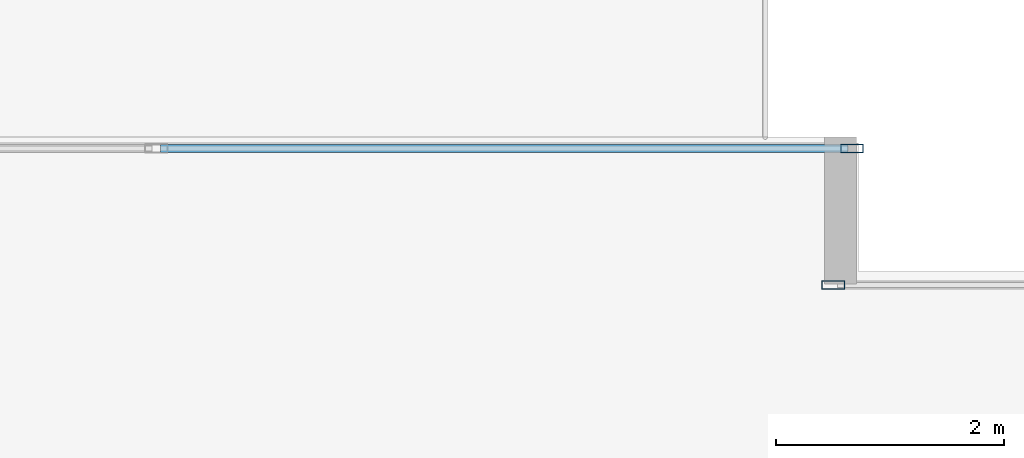
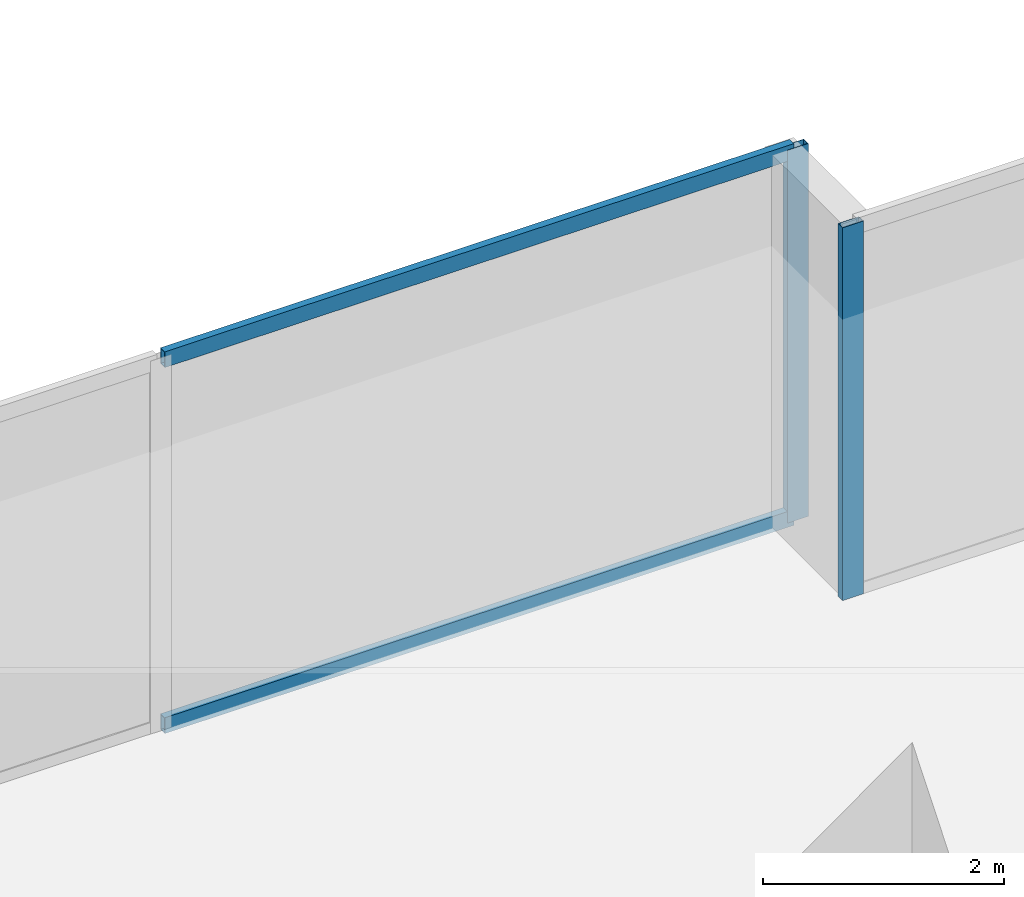
# One storey, part 16 of 32: 4 members, 2 elements without a shape of their own.
"""IFC4 building model written with IfcOpenShell, lengths in metres."""

from ifc_helpers import new_model, si_unit, direction, frame, origin, origin_2d, place, context, subcontext, project, spatial, hollow_rectangle, extrude, source, transform, mapped, material, layer, layer_set, material_profile, profile_set, type_object, type_shapes, element, aggregate, save


model = new_model("IFC4")

# Units and contexts
model_context = context("Model", 3, precision=1e-05, world=origin(), true_north=direction((0.0, 1.0)))
body_context = subcontext(model_context, "Body", "Model", "MODEL_VIEW")
ifc_project = project(units=[si_unit("LENGTHUNIT", "METRE"), si_unit("AREAUNIT", "SQUARE_METRE"), si_unit("VOLUMEUNIT", "CUBIC_METRE"), si_unit("PLANEANGLEUNIT", "RADIAN"), si_unit("MASSUNIT", "GRAM", prefix="KILO")], contexts=[model_context])

# Site, building, storey
site_placement = place(None, origin())
site = spatial("IfcSite", under=ifc_project, at=site_placement, CompositionType="ELEMENT")
building_placement = place(site_placement, origin())
building = spatial("IfcBuilding", under=site, at=building_placement, Name="Haelvirn Gate Laboratories", CompositionType="ELEMENT")
storey_placement = place(building_placement, frame((0.0, 0.0, 33.39990234375)))
storey = spatial("IfcBuildingStorey", under=building, at=storey_placement, Name="L08", CompositionType="ELEMENT", Elevation=33.39990234375)

# Curtain wall, member
ifc_material_1 = material(Name="Anodised bronze unitised aluminium & triple low-E glass", Category="aluminium")
ifc_layer = layer(ifc_material_1, 0.18408203125, Name="CW-SYS-2")
ifc_layer_set = layer_set([ifc_layer], Name="Anodised bronze unitised aluminium & triple low-E glass")
curtain_wall_type = type_object("IfcCurtainWallType", Name="CW-SYS-2", PredefinedType="NOTDEFINED", material=ifc_layer_set)
curtain_wall_1_placement = place(storey_placement, origin())
curtain_wall_1 = element("IfcCurtainWall", 1, at=curtain_wall_1_placement, inside=storey, type_object=curtain_wall_type, Name="L08 Unitised Curtain Wall CW-L08-P0-E12-1", PredefinedType="NOTDEFINED")
ifc_material_2 = material(Name="Extruded aluminium 6063-T6 (anodised bronze)", Category="aluminium")
ifc_material_profile_1 = material_profile(ifc_material_2, hollow_rectangle(XDim=0.074951171875, YDim=0.199951171875, WallThickness=0.0048828125, at=origin_2d()), Name="CWM-200x75x5")
ifc_profile_set_1 = profile_set([ifc_material_profile_1], Name="Extruded aluminium 6063-T6 (anodised bronze)")
member_type_1 = type_object("IfcMemberType", Name="CWM-T200", PredefinedType="MULLION", material=ifc_profile_set_1)
shared_shape_1 = source(origin(), body_context, "Body", "SweptSolid", [
    extrude(hollow_rectangle(XDim=0.074951171875, YDim=0.199951171875, WallThickness=0.0048828125, at=origin_2d()), origin(), (0.0, 0.0, 1.0), 3.780029296875),
])
type_shapes(member_type_1, [shared_shape_1])
member_1_placement = place(storey_placement, frame((25.197509765625, 47.300048828125, 0.0), z_axis=(0.0, 0.0, 1.0), x_axis=(0.0, 1.0, 0.0)))
member_1 = element("IfcMember", 2, at=member_1_placement, type_object=member_type_1, Name="CW2 mullion 1", PredefinedType="MULLION", context=body_context, shape_type="MappedRepresentation", body=[
    mapped(shared_shape_1, transform((0.0, 0.0, 0.0), scale=1.0)),
])
aggregate(curtain_wall_1, [member_1])

# Curtain wall, members
curtain_wall_2_placement = place(storey_placement, origin())
curtain_wall_2 = element("IfcCurtainWall", 3, at=curtain_wall_2_placement, inside=storey, type_object=curtain_wall_type, Name="L08 Unitised Curtain Wall CW-L08-P0-E14-2", PredefinedType="NOTDEFINED")
member_2_placement = place(storey_placement, frame((25.362548828125, 48.5, 0.0), z_axis=(0.0, 0.0, 1.0), x_axis=(0.0, 1.0, 0.0)))
member_2 = element("IfcMember", 4, at=member_2_placement, type_object=member_type_1, Name="CW2 mullion 3", PredefinedType="MULLION", context=body_context, shape_type="MappedRepresentation", body=[
    mapped(shared_shape_1, transform((0.0, 0.0, 0.0), scale=1.0)),
])
ifc_material_profile_2 = material_profile(ifc_material_2, hollow_rectangle(XDim=0.070068359375, YDim=0.159912109375, WallThickness=0.0048828125, at=origin_2d()), Name="CWT-160x70x5")
ifc_profile_set_2 = profile_set([ifc_material_profile_2], Name="Extruded aluminium 6063-T6 (anodised bronze)")
member_type_2 = type_object("IfcMemberType", Name="CWT-T160", PredefinedType="USERDEFINED", material=ifc_profile_set_2)
shared_shape_2 = source(origin(), body_context, "Body", "SweptSolid", [
    extrude(hollow_rectangle(XDim=0.070068359375, YDim=0.159912109375, WallThickness=0.0048828125, at=origin_2d()), origin(), (0.0, 0.0, 1.0), 6.032470703125),
])
type_shapes(member_type_2, [shared_shape_2])
member_3_placement = place(storey_placement, frame((19.29248046875, 48.5, 0.03515625), z_axis=(1.0, 0.0, 0.0), x_axis=(0.0, 1.0, 0.0)))
member_3 = element("IfcMember", 5, at=member_3_placement, type_object=member_type_2, Name="CW2 transom 2.1", ObjectType="TRANSOM", PredefinedType="USERDEFINED", context=body_context, shape_type="MappedRepresentation", body=[
    mapped(shared_shape_2, transform((0.0, 0.0, 0.0), scale=1.0)),
])
member_4_placement = place(storey_placement, frame((19.29248046875, 48.5, 3.7451171875), z_axis=(1.0, 0.0, 0.0), x_axis=(0.0, 1.0, 0.0)))
member_4 = element("IfcMember", 6, at=member_4_placement, type_object=member_type_2, Name="CW2 transom 2.2", ObjectType="TRANSOM", PredefinedType="USERDEFINED", context=body_context, shape_type="MappedRepresentation", body=[
    mapped(shared_shape_2, transform((0.0, 0.0, 0.0), scale=1.0)),
])
aggregate(curtain_wall_2, [member_2, member_3, member_4])

save(model, "model.ifc")
